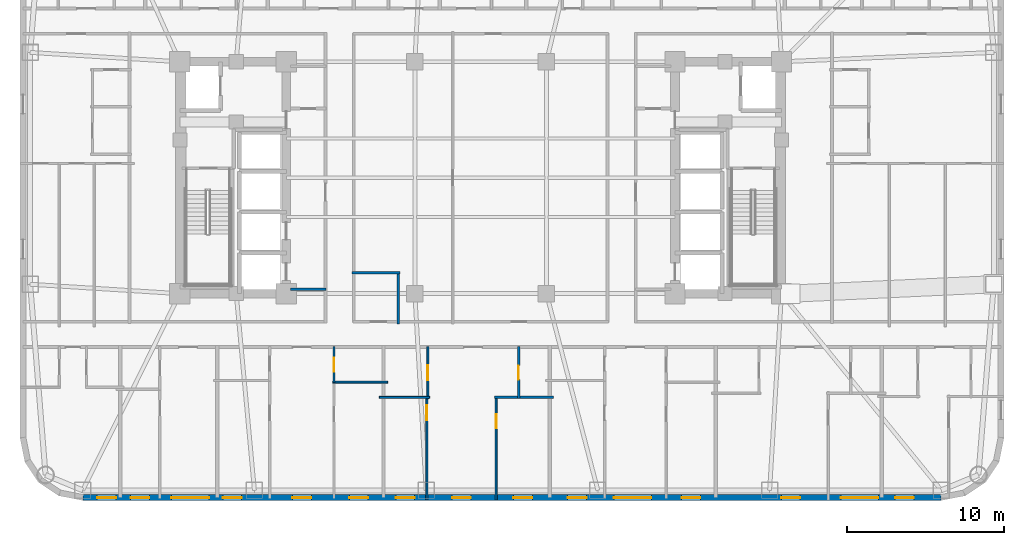
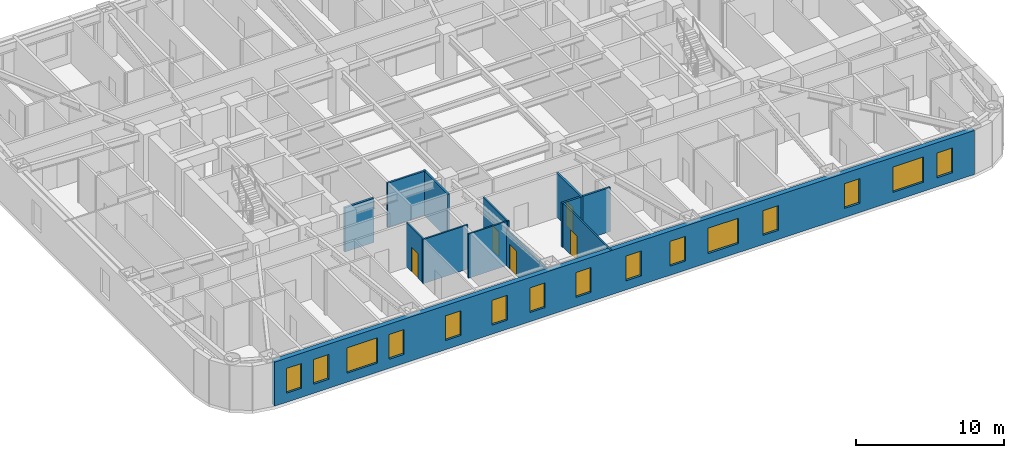
# One storey, part 3 of 12: 15 windows, 12 walls, 5 doors, 20 openings.
"""IFC4 building model written with IfcOpenShell, lengths in metres."""

from ifc_helpers import new_model, si_unit, direction, frame, frame_2d, origin, place, context, subcontext, project, spatial, rectangle, extrude, material, layer, layer_set, type_object, element, fill, save


model = new_model("IFC4")

# Units and contexts
model_context = context("Model", 3, precision=1e-05, world=origin(), true_north=direction((0.0, 1.0)))
body_context = subcontext(model_context, "Body", "Model", "MODEL_VIEW")
ifc_project = project(units=[si_unit("LENGTHUNIT", "METRE"), si_unit("AREAUNIT", "SQUARE_METRE"), si_unit("VOLUMEUNIT", "CUBIC_METRE"), si_unit("PLANEANGLEUNIT", "RADIAN"), si_unit("MASSUNIT", "GRAM", prefix="KILO")], contexts=[model_context])

# Site, building, storey
site_placement = place(None, origin())
site = spatial("IfcSite", under=ifc_project, at=site_placement, CompositionType="ELEMENT")
building_placement = place(site_placement, origin())
building = spatial("IfcBuilding", under=site, at=building_placement, Name="Voryun Gate Residences", CompositionType="ELEMENT")
storey_placement = place(building_placement, frame((0.0, 0.0, 132.60009765625)))
storey = spatial("IfcBuildingStorey", under=building, at=storey_placement, Name="L32", CompositionType="ELEMENT", Elevation=132.60009765625)

# Wall
ifc_material_1 = material(Name="Gypsum acoustic fireboard")
ifc_layer_1 = layer(ifc_material_1, 0.179931640625, Name="W_CORR_RATED_180")
ifc_layer_set_1 = layer_set([ifc_layer_1], Name="Gypsum acoustic fireboard")
wall_type_1 = type_object("IfcWallType", Name="W_CORR_RATED_180", PredefinedType="PARTITIONING", material=ifc_layer_set_1)
wall_1_placement = place(storey_placement, frame((-12.14990234375, -7.1201171875, 0.0), z_axis=(0.0, 0.0, 1.0), x_axis=(1.0, 0.0, 0.0)))
element("IfcWall", 1, at=wall_1_placement, inside=storey, type_object=wall_type_1, Name="Partition wall WP-L32-PLBS-W", PredefinedType="PARTITIONING", context=body_context, shape_type="SweptSolid", body=[
    extrude(rectangle(XDim=2.27001953125, YDim=0.179931640625, at=frame_2d((1.135009765625, 0.0))), origin(), (0.0, 0.0, 1.0), 3.64990234375),
])

# Wall, openings, windows
ifc_material_2 = material(Name="Granite masonry", Category="masonry")
ifc_layer_2 = layer(ifc_material_2, 0.3798828125, Name="W_EXT_GRANITE_380")
ifc_layer_set_2 = layer_set([ifc_layer_2], Name="Granite masonry")
wall_type_2 = type_object("IfcWallType", Name="W_EXT_GRANITE_380", PredefinedType="ELEMENTEDWALL", material=ifc_layer_set_2)
wall_2_placement = place(storey_placement, frame((29.38134765625, -20.409912109375, 0.0), z_axis=(0.0, 0.0, 1.0), x_axis=(-1.0, 0.0, 0.0)))
wall_2 = element("IfcWall", 2, at=wall_2_placement, inside=storey, type_object=wall_type_2, Name="Exterior wall WEXT-L32-01", PredefinedType="ELEMENTEDWALL", context=body_context, shape_type="SweptSolid", body=[
    extrude(rectangle(XDim=54.7626953125, YDim=0.3798828125, at=frame_2d((27.38134765625, 0.0))), origin(), (0.0, 0.0, 1.0), 3.64990234375),
])
opening_1_placement = place(wall_2_placement, frame((3.995361328125, 0.0, 0.75)))
opening_1 = element("IfcOpeningElement", 3, at=opening_1_placement, cuts=wall_2, Name="Opening WN2", PredefinedType="OPENING", context=body_context, shape_type="SweptSolid", body=[
    extrude(rectangle(XDim=2.39990234375, YDim=2.10009765625, at=frame_2d((1.199951171875, 1.050048828125))), frame((0.0, 0.199951171875, 0.0), z_axis=(0.0, -1.0, 0.0), x_axis=(1.0, 0.0, 0.0)), (0.0, 0.0, 1.0), 0.39990234375),
])
opening_2_placement = place(wall_2_placement, frame((18.486083984375, 0.0, 0.75)))
opening_2 = element("IfcOpeningElement", 4, at=opening_2_placement, cuts=wall_2, Name="Opening WN2", PredefinedType="OPENING", context=body_context, shape_type="SweptSolid", body=[
    extrude(rectangle(XDim=2.39990234375, YDim=2.10009765625, at=frame_2d((1.199951171875, 1.050048828125))), frame((0.0, 0.199951171875, 0.0), z_axis=(0.0, -1.0, 0.0), x_axis=(1.0, 0.0, 0.0)), (0.0, 0.0, 1.0), 0.39990234375),
])
opening_3_placement = place(wall_2_placement, frame((46.71728515625, 0.0, 0.75)))
opening_3 = element("IfcOpeningElement", 5, at=opening_3_placement, cuts=wall_2, Name="Opening WN2", PredefinedType="OPENING", context=body_context, shape_type="SweptSolid", body=[
    extrude(rectangle(XDim=2.39990234375, YDim=2.10009765625, at=frame_2d((1.199951171875, 1.050048828125))), frame((0.0, 0.199951171875, 0.0), z_axis=(0.0, -1.0, 0.0), x_axis=(1.0, 0.0, 0.0)), (0.0, 0.0, 1.0), 0.39990234375),
])
opening_4_placement = place(wall_2_placement, frame((52.6513671875, 0.0, 0.75)))
opening_4 = element("IfcOpeningElement", 6, at=opening_4_placement, cuts=wall_2, Name="Opening WN6", PredefinedType="OPENING", context=body_context, shape_type="SweptSolid", body=[
    extrude(rectangle(XDim=1.199951171875, YDim=2.050048828125, at=frame_2d((0.60009765625, 1.02490234375))), frame((0.0, 0.199951171875, 0.0), z_axis=(0.0, -1.0, 0.0), x_axis=(1.0, 0.0, 0.0)), (0.0, 0.0, 1.0), 0.39990234375),
])
opening_5_placement = place(wall_2_placement, frame((50.521240234375, 0.0, 0.75)))
opening_5 = element("IfcOpeningElement", 7, at=opening_5_placement, cuts=wall_2, Name="Opening WN6", PredefinedType="OPENING", context=body_context, shape_type="SweptSolid", body=[
    extrude(rectangle(XDim=1.199951171875, YDim=2.050048828125, at=frame_2d((0.60009765625, 1.02490234375))), frame((0.0, 0.199951171875, 0.0), z_axis=(0.0, -1.0, 0.0), x_axis=(1.0, 0.0, 0.0)), (0.0, 0.0, 1.0), 0.39990234375),
])
opening_6_placement = place(wall_2_placement, frame((40.19140625, 0.0, 0.75)))
opening_6 = element("IfcOpeningElement", 8, at=opening_6_placement, cuts=wall_2, Name="Opening WN6", PredefinedType="OPENING", context=body_context, shape_type="SweptSolid", body=[
    extrude(rectangle(XDim=1.199951171875, YDim=2.050048828125, at=frame_2d((0.60009765625, 1.02490234375))), frame((0.0, 0.199951171875, 0.0), z_axis=(0.0, -1.0, 0.0), x_axis=(1.0, 0.0, 0.0)), (0.0, 0.0, 1.0), 0.39990234375),
])
opening_7_placement = place(wall_2_placement, frame((44.63134765625, 0.0, 0.75)))
opening_7 = element("IfcOpeningElement", 9, at=opening_7_placement, cuts=wall_2, Name="Opening WN6", PredefinedType="OPENING", context=body_context, shape_type="SweptSolid", body=[
    extrude(rectangle(XDim=1.199951171875, YDim=2.050048828125, at=frame_2d((0.60009765625, 1.02490234375))), frame((0.0, 0.199951171875, 0.0), z_axis=(0.0, -1.0, 0.0), x_axis=(1.0, 0.0, 0.0)), (0.0, 0.0, 1.0), 0.39990234375),
])
opening_8_placement = place(wall_2_placement, frame((36.561279296875, 0.0, 0.75)))
opening_8 = element("IfcOpeningElement", 10, at=opening_8_placement, cuts=wall_2, Name="Opening WN6", PredefinedType="OPENING", context=body_context, shape_type="SweptSolid", body=[
    extrude(rectangle(XDim=1.199951171875, YDim=2.050048828125, at=frame_2d((0.60009765625, 1.02490234375))), frame((0.0, 0.199951171875, 0.0), z_axis=(0.0, -1.0, 0.0), x_axis=(1.0, 0.0, 0.0)), (0.0, 0.0, 1.0), 0.39990234375),
])
opening_9_placement = place(wall_2_placement, frame((30.00439453125, 0.0, 0.75)))
opening_9 = element("IfcOpeningElement", 11, at=opening_9_placement, cuts=wall_2, Name="Opening WN6", PredefinedType="OPENING", context=body_context, shape_type="SweptSolid", body=[
    extrude(rectangle(XDim=1.199951171875, YDim=2.050048828125, at=frame_2d((0.60009765625, 1.02490234375))), frame((0.0, 0.199951171875, 0.0), z_axis=(0.0, -1.0, 0.0), x_axis=(1.0, 0.0, 0.0)), (0.0, 0.0, 1.0), 0.39990234375),
])
opening_10_placement = place(wall_2_placement, frame((33.599365234375, 0.0, 0.75)))
opening_10 = element("IfcOpeningElement", 12, at=opening_10_placement, cuts=wall_2, Name="Opening WN6", PredefinedType="OPENING", context=body_context, shape_type="SweptSolid", body=[
    extrude(rectangle(XDim=1.199951171875, YDim=2.050048828125, at=frame_2d((0.60009765625, 1.02490234375))), frame((0.0, 0.199951171875, 0.0), z_axis=(0.0, -1.0, 0.0), x_axis=(1.0, 0.0, 0.0)), (0.0, 0.0, 1.0), 0.39990234375),
])
opening_11_placement = place(wall_2_placement, frame((26.086181640625, 0.0, 0.75)))
opening_11 = element("IfcOpeningElement", 13, at=opening_11_placement, cuts=wall_2, Name="Opening WN6", PredefinedType="OPENING", context=body_context, shape_type="SweptSolid", body=[
    extrude(rectangle(XDim=1.199951171875, YDim=2.050048828125, at=frame_2d((0.60009765625, 1.02490234375))), frame((0.0, 0.199951171875, 0.0), z_axis=(0.0, -1.0, 0.0), x_axis=(1.0, 0.0, 0.0)), (0.0, 0.0, 1.0), 0.39990234375),
])
opening_12_placement = place(wall_2_placement, frame((22.626220703125, 0.0, 0.75)))
opening_12 = element("IfcOpeningElement", 14, at=opening_12_placement, cuts=wall_2, Name="Opening WN6", PredefinedType="OPENING", context=body_context, shape_type="SweptSolid", body=[
    extrude(rectangle(XDim=1.199951171875, YDim=2.050048828125, at=frame_2d((0.60009765625, 1.02490234375))), frame((0.0, 0.199951171875, 0.0), z_axis=(0.0, -1.0, 0.0), x_axis=(1.0, 0.0, 0.0)), (0.0, 0.0, 1.0), 0.39990234375),
])
opening_13_placement = place(wall_2_placement, frame((15.361328125, 0.0, 0.75)))
opening_13 = element("IfcOpeningElement", 15, at=opening_13_placement, cuts=wall_2, Name="Opening WN6", PredefinedType="OPENING", context=body_context, shape_type="SweptSolid", body=[
    extrude(rectangle(XDim=1.199951171875, YDim=2.050048828125, at=frame_2d((0.60009765625, 1.02490234375))), frame((0.0, 0.199951171875, 0.0), z_axis=(0.0, -1.0, 0.0), x_axis=(1.0, 0.0, 0.0)), (0.0, 0.0, 1.0), 0.39990234375),
])
opening_14_placement = place(wall_2_placement, frame((8.986328125, 0.0, 0.75)))
opening_14 = element("IfcOpeningElement", 16, at=opening_14_placement, cuts=wall_2, Name="Opening WN6", PredefinedType="OPENING", context=body_context, shape_type="SweptSolid", body=[
    extrude(rectangle(XDim=1.199951171875, YDim=2.050048828125, at=frame_2d((0.60009765625, 1.02490234375))), frame((0.0, 0.199951171875, 0.0), z_axis=(0.0, -1.0, 0.0), x_axis=(1.0, 0.0, 0.0)), (0.0, 0.0, 1.0), 0.39990234375),
])
opening_15_placement = place(wall_2_placement, frame((1.735595703125, 0.0, 0.75)))
opening_15 = element("IfcOpeningElement", 17, at=opening_15_placement, cuts=wall_2, Name="Opening WN6", PredefinedType="OPENING", context=body_context, shape_type="SweptSolid", body=[
    extrude(rectangle(XDim=1.199951171875, YDim=2.050048828125, at=frame_2d((0.60009765625, 1.02490234375))), frame((0.0, 0.199951171875, 0.0), z_axis=(0.0, -1.0, 0.0), x_axis=(1.0, 0.0, 0.0)), (0.0, 0.0, 1.0), 0.39990234375),
])
ifc_material_3 = material(Name="Laminated low-E glass", Category="glass")
window_type_1 = type_object("IfcWindowType", Name="WN_POD_SLOT_1200", PartitioningType="SINGLE_PANEL", PredefinedType="WINDOW", material=ifc_material_3)
window_1_placement = place(opening_4_placement, origin())
window_1 = element("IfcWindow", 18, at=window_1_placement, inside=storey, type_object=window_type_1, Name="Window WN-L32-DWFIX-17", OverallHeight=2.050048828125, OverallWidth=1.199951171875, PartitioningType="SINGLE_PANEL", PredefinedType="WINDOW", context=body_context, shape_type="SweptSolid", body=[
    extrude(rectangle(XDim=1.199951171875, YDim=2.050048828125, at=frame_2d((0.60009765625, 1.02490234375))), frame((0.0, 0.030029296875, 0.0), z_axis=(0.0, -1.0, 0.0), x_axis=(1.0, 0.0, 0.0)), (0.0, 0.0, 1.0), 0.06005859375),
])
fill(opening_4, window_1)
window_2_placement = place(opening_5_placement, origin())
window_2 = element("IfcWindow", 19, at=window_2_placement, inside=storey, type_object=window_type_1, Name="Window WN-L32-DWFIX-18", OverallHeight=2.050048828125, OverallWidth=1.199951171875, PartitioningType="SINGLE_PANEL", PredefinedType="WINDOW", context=body_context, shape_type="SweptSolid", body=[
    extrude(rectangle(XDim=1.199951171875, YDim=2.050048828125, at=frame_2d((0.60009765625, 1.02490234375))), frame((0.0, 0.030029296875, 0.0), z_axis=(0.0, -1.0, 0.0), x_axis=(1.0, 0.0, 0.0)), (0.0, 0.0, 1.0), 0.06005859375),
])
fill(opening_5, window_2)
window_3_placement = place(opening_6_placement, origin())
window_3 = element("IfcWindow", 20, at=window_3_placement, inside=storey, type_object=window_type_1, Name="Window WN-L32-DWFIX-19", OverallHeight=2.050048828125, OverallWidth=1.199951171875, PartitioningType="SINGLE_PANEL", PredefinedType="WINDOW", context=body_context, shape_type="SweptSolid", body=[
    extrude(rectangle(XDim=1.199951171875, YDim=2.050048828125, at=frame_2d((0.60009765625, 1.02490234375))), frame((0.0, 0.030029296875, 0.0), z_axis=(0.0, -1.0, 0.0), x_axis=(1.0, 0.0, 0.0)), (0.0, 0.0, 1.0), 0.06005859375),
])
fill(opening_6, window_3)
window_4_placement = place(opening_7_placement, origin())
window_4 = element("IfcWindow", 21, at=window_4_placement, inside=storey, type_object=window_type_1, Name="Window WN-L32-DWFIX-20", OverallHeight=2.050048828125, OverallWidth=1.199951171875, PartitioningType="SINGLE_PANEL", PredefinedType="WINDOW", context=body_context, shape_type="SweptSolid", body=[
    extrude(rectangle(XDim=1.199951171875, YDim=2.050048828125, at=frame_2d((0.60009765625, 1.02490234375))), frame((0.0, 0.030029296875, 0.0), z_axis=(0.0, -1.0, 0.0), x_axis=(1.0, 0.0, 0.0)), (0.0, 0.0, 1.0), 0.06005859375),
])
fill(opening_7, window_4)
window_5_placement = place(opening_8_placement, origin())
window_5 = element("IfcWindow", 22, at=window_5_placement, inside=storey, type_object=window_type_1, Name="Window WN-L32-DWFIX-21", OverallHeight=2.050048828125, OverallWidth=1.199951171875, PartitioningType="SINGLE_PANEL", PredefinedType="WINDOW", context=body_context, shape_type="SweptSolid", body=[
    extrude(rectangle(XDim=1.199951171875, YDim=2.050048828125, at=frame_2d((0.60009765625, 1.02490234375))), frame((0.0, 0.030029296875, 0.0), z_axis=(0.0, -1.0, 0.0), x_axis=(1.0, 0.0, 0.0)), (0.0, 0.0, 1.0), 0.06005859375),
])
fill(opening_8, window_5)
window_6_placement = place(opening_9_placement, origin())
window_6 = element("IfcWindow", 23, at=window_6_placement, inside=storey, type_object=window_type_1, Name="Window WN-L32-DWFIX-22", OverallHeight=2.050048828125, OverallWidth=1.199951171875, PartitioningType="SINGLE_PANEL", PredefinedType="WINDOW", context=body_context, shape_type="SweptSolid", body=[
    extrude(rectangle(XDim=1.199951171875, YDim=2.050048828125, at=frame_2d((0.60009765625, 1.02490234375))), frame((0.0, 0.030029296875, 0.0), z_axis=(0.0, -1.0, 0.0), x_axis=(1.0, 0.0, 0.0)), (0.0, 0.0, 1.0), 0.06005859375),
])
fill(opening_9, window_6)
window_7_placement = place(opening_10_placement, origin())
window_7 = element("IfcWindow", 24, at=window_7_placement, inside=storey, type_object=window_type_1, Name="Window WN-L32-DWFIX-23", OverallHeight=2.050048828125, OverallWidth=1.199951171875, PartitioningType="SINGLE_PANEL", PredefinedType="WINDOW", context=body_context, shape_type="SweptSolid", body=[
    extrude(rectangle(XDim=1.199951171875, YDim=2.050048828125, at=frame_2d((0.60009765625, 1.02490234375))), frame((0.0, 0.030029296875, 0.0), z_axis=(0.0, -1.0, 0.0), x_axis=(1.0, 0.0, 0.0)), (0.0, 0.0, 1.0), 0.06005859375),
])
fill(opening_10, window_7)
window_8_placement = place(opening_11_placement, origin())
window_8 = element("IfcWindow", 25, at=window_8_placement, inside=storey, type_object=window_type_1, Name="Window WN-L32-DWFIX-24", OverallHeight=2.050048828125, OverallWidth=1.199951171875, PartitioningType="SINGLE_PANEL", PredefinedType="WINDOW", context=body_context, shape_type="SweptSolid", body=[
    extrude(rectangle(XDim=1.199951171875, YDim=2.050048828125, at=frame_2d((0.60009765625, 1.02490234375))), frame((0.0, 0.030029296875, 0.0), z_axis=(0.0, -1.0, 0.0), x_axis=(1.0, 0.0, 0.0)), (0.0, 0.0, 1.0), 0.06005859375),
])
fill(opening_11, window_8)
window_9_placement = place(opening_12_placement, origin())
window_9 = element("IfcWindow", 26, at=window_9_placement, inside=storey, type_object=window_type_1, Name="Window WN-L32-DWFIX-25", OverallHeight=2.050048828125, OverallWidth=1.199951171875, PartitioningType="SINGLE_PANEL", PredefinedType="WINDOW", context=body_context, shape_type="SweptSolid", body=[
    extrude(rectangle(XDim=1.199951171875, YDim=2.050048828125, at=frame_2d((0.60009765625, 1.02490234375))), frame((0.0, 0.030029296875, 0.0), z_axis=(0.0, -1.0, 0.0), x_axis=(1.0, 0.0, 0.0)), (0.0, 0.0, 1.0), 0.06005859375),
])
fill(opening_12, window_9)
window_10_placement = place(opening_13_placement, origin())
window_10 = element("IfcWindow", 27, at=window_10_placement, inside=storey, type_object=window_type_1, Name="Window WN-L32-DWFIX-26", OverallHeight=2.050048828125, OverallWidth=1.199951171875, PartitioningType="SINGLE_PANEL", PredefinedType="WINDOW", context=body_context, shape_type="SweptSolid", body=[
    extrude(rectangle(XDim=1.199951171875, YDim=2.050048828125, at=frame_2d((0.60009765625, 1.02490234375))), frame((0.0, 0.030029296875, 0.0), z_axis=(0.0, -1.0, 0.0), x_axis=(1.0, 0.0, 0.0)), (0.0, 0.0, 1.0), 0.06005859375),
])
fill(opening_13, window_10)
window_11_placement = place(opening_14_placement, origin())
window_11 = element("IfcWindow", 28, at=window_11_placement, inside=storey, type_object=window_type_1, Name="Window WN-L32-DWFIX-27", OverallHeight=2.050048828125, OverallWidth=1.199951171875, PartitioningType="SINGLE_PANEL", PredefinedType="WINDOW", context=body_context, shape_type="SweptSolid", body=[
    extrude(rectangle(XDim=1.199951171875, YDim=2.050048828125, at=frame_2d((0.60009765625, 1.02490234375))), frame((0.0, 0.030029296875, 0.0), z_axis=(0.0, -1.0, 0.0), x_axis=(1.0, 0.0, 0.0)), (0.0, 0.0, 1.0), 0.06005859375),
])
fill(opening_14, window_11)
window_12_placement = place(opening_15_placement, origin())
window_12 = element("IfcWindow", 29, at=window_12_placement, inside=storey, type_object=window_type_1, Name="Window WN-L32-DWFIX-28", OverallHeight=2.050048828125, OverallWidth=1.199951171875, PartitioningType="SINGLE_PANEL", PredefinedType="WINDOW", context=body_context, shape_type="SweptSolid", body=[
    extrude(rectangle(XDim=1.199951171875, YDim=2.050048828125, at=frame_2d((0.60009765625, 1.02490234375))), frame((0.0, 0.030029296875, 0.0), z_axis=(0.0, -1.0, 0.0), x_axis=(1.0, 0.0, 0.0)), (0.0, 0.0, 1.0), 0.06005859375),
])
fill(opening_15, window_12)
ifc_material_4 = material(Name="Laminated low-E glass", Category="glass")
window_type_2 = type_object("IfcWindowType", Name="WN_RES_WIDE_2400", PartitioningType="SINGLE_PANEL", PredefinedType="WINDOW", material=ifc_material_4)
window_13_placement = place(opening_1_placement, origin())
window_13 = element("IfcWindow", 30, at=window_13_placement, inside=storey, type_object=window_type_2, Name="Window WN-WEXT-L32-01-01", OverallHeight=2.10009765625, OverallWidth=2.39990234375, PartitioningType="SINGLE_PANEL", PredefinedType="WINDOW", context=body_context, shape_type="SweptSolid", body=[
    extrude(rectangle(XDim=2.39990234375, YDim=2.10009765625, at=frame_2d((1.199951171875, 1.050048828125))), frame((0.0, 0.030029296875, 0.0), z_axis=(0.0, -1.0, 0.0), x_axis=(1.0, 0.0, 0.0)), (0.0, 0.0, 1.0), 0.06005859375),
])
fill(opening_1, window_13)
window_14_placement = place(opening_2_placement, origin())
window_14 = element("IfcWindow", 31, at=window_14_placement, inside=storey, type_object=window_type_2, Name="Window WN-WEXT-L32-01-02", OverallHeight=2.10009765625, OverallWidth=2.39990234375, PartitioningType="SINGLE_PANEL", PredefinedType="WINDOW", context=body_context, shape_type="SweptSolid", body=[
    extrude(rectangle(XDim=2.39990234375, YDim=2.10009765625, at=frame_2d((1.199951171875, 1.050048828125))), frame((0.0, 0.030029296875, 0.0), z_axis=(0.0, -1.0, 0.0), x_axis=(1.0, 0.0, 0.0)), (0.0, 0.0, 1.0), 0.06005859375),
])
fill(opening_2, window_14)
window_15_placement = place(opening_3_placement, origin())
window_15 = element("IfcWindow", 32, at=window_15_placement, inside=storey, type_object=window_type_2, Name="Window WN-WEXT-L32-01-04", OverallHeight=2.10009765625, OverallWidth=2.39990234375, PartitioningType="SINGLE_PANEL", PredefinedType="WINDOW", context=body_context, shape_type="SweptSolid", body=[
    extrude(rectangle(XDim=2.39990234375, YDim=2.10009765625, at=frame_2d((1.199951171875, 1.050048828125))), frame((0.0, 0.030029296875, 0.0), z_axis=(0.0, -1.0, 0.0), x_axis=(1.0, 0.0, 0.0)), (0.0, 0.0, 1.0), 0.06005859375),
])
fill(opening_3, window_15)

# Wall
ifc_material_5 = material(Name="Gypsum acoustic partition")
ifc_layer_3 = layer(ifc_material_5, 0.125, Name="W_UNIT_PART_125")
ifc_layer_set_3 = layer_set([ifc_layer_3], Name="Gypsum acoustic partition")
wall_type_3 = type_object("IfcWallType", Name="W_UNIT_PART_125", PredefinedType="PARTITIONING", material=ifc_layer_set_3)
wall_3_placement = place(storey_placement, frame((-9.43994140625, -13.0400390625, 0.0), z_axis=(0.0, 0.0, 1.0), x_axis=(1.0, 0.0, 0.0)))
element("IfcWall", 33, at=wall_3_placement, inside=storey, type_object=wall_type_3, Name="Partition wall WP-L32-S3-RHY", PredefinedType="PARTITIONING", context=body_context, shape_type="SweptSolid", body=[
    extrude(rectangle(XDim=3.5, YDim=0.125, at=frame_2d((1.75, 0.0))), origin(), (0.0, 0.0, 1.0), 3.64990234375),
])

# Wall, opening, door
wall_4_placement = place(storey_placement, frame((-9.360107421875, -13.080078125, 0.0), z_axis=(0.0, 0.0, 1.0), x_axis=(0.0, 1.0, 0.0)))
wall_4 = element("IfcWall", 34, at=wall_4_placement, inside=storey, type_object=wall_type_3, Name="Partition wall WP-L32-S3-RVX2", PredefinedType="PARTITIONING", context=body_context, shape_type="SweptSolid", body=[
    extrude(rectangle(XDim=2.300048828125, YDim=0.125, at=frame_2d((1.14990234375, 0.0))), origin(), (0.0, 0.0, 1.0), 3.64990234375),
])
opening_16_placement = place(wall_4_placement, frame((0.699951171875, 0.0, 0.0)))
opening_16 = element("IfcOpeningElement", 35, at=opening_16_placement, cuts=wall_4, Name="Opening D-INT-2", PredefinedType="OPENING", context=body_context, shape_type="SweptSolid", body=[
    extrude(rectangle(XDim=0.89990234375, YDim=2.050048828125, at=frame_2d((0.449951171875, 1.02490234375))), frame((0.0, 0.072509765625, 0.0), z_axis=(0.0, -1.0, 0.0), x_axis=(1.0, 0.0, 0.0)), (0.0, 0.0, 1.0), 0.14501953125),
])
ifc_material_6 = material(Name="Architectural oak veneer")
door_type_1 = type_object("IfcDoorType", Name="DR_INT_BATH_900", OperationType="NOTDEFINED", PredefinedType="DOOR", material=ifc_material_6)
door_1_placement = place(opening_16_placement, origin())
door_1 = element("IfcDoor", 36, at=door_1_placement, inside=storey, type_object=door_type_1, Name="Door DR-L32-S3-DK", OperationType="SINGLE_SWING_LEFT", OverallHeight=2.050048828125, OverallWidth=0.89990234375, PredefinedType="DOOR", context=body_context, shape_type="SweptSolid", body=[
    extrude(rectangle(XDim=0.89990234375, YDim=2.050048828125, at=frame_2d((0.449951171875, 1.02490234375))), frame((0.0, 0.02490234375, 0.0), z_axis=(0.0, -1.0, 0.0), x_axis=(1.0, 0.0, 0.0)), (0.0, 0.0, 1.0), 0.050048828125),
])
fill(opening_16, door_1)

wall_5_placement = place(storey_placement, frame((-3.43603515625, -20.56005859375, 0.0), z_axis=(0.0, 0.0, 1.0), x_axis=(0.0, 1.0, 0.0)))
wall_5 = element("IfcWall", 37, at=wall_5_placement, inside=storey, type_object=wall_type_3, Name="Partition wall WP-L32-S4-OVL", PredefinedType="PARTITIONING", context=body_context, shape_type="SweptSolid", body=[
    extrude(rectangle(XDim=6.6201171875, YDim=0.125, at=frame_2d((3.31005859375, 0.0))), origin(), (0.0, 0.0, 1.0), 3.039794921875),
])
opening_17_placement = place(wall_5_placement, frame((5.085693359375, 0.0, 0.0)))
opening_17 = element("IfcOpeningElement", 38, at=opening_17_placement, cuts=wall_5, Name="Opening D-INT-1", PredefinedType="OPENING", context=body_context, shape_type="SweptSolid", body=[
    extrude(rectangle(XDim=0.949951171875, YDim=2.050048828125, at=frame_2d((0.47509765625, 1.02490234375))), frame((0.0, 0.072509765625, 0.0), z_axis=(0.0, -1.0, 0.0), x_axis=(1.0, 0.0, 0.0)), (0.0, 0.0, 1.0), 0.14501953125),
])
ifc_material_7 = material(Name="Architectural oak veneer")
door_type_2 = type_object("IfcDoorType", Name="DR_INT_ROOM_950", OperationType="NOTDEFINED", PredefinedType="DOOR", material=ifc_material_7)
door_2_placement = place(opening_17_placement, origin())
door_2 = element("IfcDoor", 39, at=door_2_placement, inside=storey, type_object=door_type_2, Name="Door DR-L32-S4-DB2", OperationType="SINGLE_SWING_LEFT", OverallHeight=2.050048828125, OverallWidth=0.949951171875, PredefinedType="DOOR", context=body_context, shape_type="SweptSolid", body=[
    extrude(rectangle(XDim=0.949951171875, YDim=2.050048828125, at=frame_2d((0.47509765625, 1.02490234375))), frame((0.0, 0.02490234375, 0.0), z_axis=(0.0, -1.0, 0.0), x_axis=(1.0, 0.0, 0.0)), (0.0, 0.0, 1.0), 0.050048828125),
])
fill(opening_17, door_2)

wall_6_placement = place(storey_placement, frame((0.989990234375, -20.56005859375, 0.0), z_axis=(0.0, 0.0, 1.0), x_axis=(0.0, 1.0, 0.0)))
wall_6 = element("IfcWall", 40, at=wall_6_placement, inside=storey, type_object=wall_type_3, Name="Partition wall WP-L32-S4-OVR", PredefinedType="PARTITIONING", context=body_context, shape_type="SweptSolid", body=[
    extrude(rectangle(XDim=6.6201171875, YDim=0.125, at=frame_2d((3.31005859375, 0.0))), origin(), (0.0, 0.0, 1.0), 3.64990234375),
])
opening_18_placement = place(wall_6_placement, frame((4.581298828125, 0.0, 0.0)))
opening_18 = element("IfcOpeningElement", 41, at=opening_18_placement, cuts=wall_6, Name="Opening D-INT-2", PredefinedType="OPENING", context=body_context, shape_type="SweptSolid", body=[
    extrude(rectangle(XDim=0.89990234375, YDim=2.050048828125, at=frame_2d((0.449951171875, 1.02490234375))), frame((0.0, 0.072509765625, 0.0), z_axis=(0.0, -1.0, 0.0), x_axis=(1.0, 0.0, 0.0)), (0.0, 0.0, 1.0), 0.14501953125),
])
door_3_placement = place(opening_18_placement, origin())
door_3 = element("IfcDoor", 42, at=door_3_placement, inside=storey, type_object=door_type_1, Name="Door DR-L32-S4-DMB", OperationType="SINGLE_SWING_RIGHT", OverallHeight=2.050048828125, OverallWidth=0.89990234375, PredefinedType="DOOR", context=body_context, shape_type="SweptSolid", body=[
    extrude(rectangle(XDim=0.89990234375, YDim=2.050048828125, at=frame_2d((0.449951171875, 1.02490234375))), frame((0.0, 0.02490234375, 0.0), z_axis=(0.0, -1.0, 0.0), x_axis=(1.0, 0.0, 0.0)), (0.0, 0.0, 1.0), 0.050048828125),
])
fill(opening_18, door_3)

wall_7_placement = place(storey_placement, frame((-3.373046875, -14.10009765625, 0.0), z_axis=(0.0, 0.0, 1.0), x_axis=(0.0, 1.0, 0.0)))
wall_7 = element("IfcWall", 43, at=wall_7_placement, inside=storey, type_object=wall_type_3, Name="Partition wall WP-L32-S4-IVK", PredefinedType="PARTITIONING", context=body_context, shape_type="SweptSolid", body=[
    extrude(rectangle(XDim=3.320068359375, YDim=0.125, at=frame_2d((1.66015625, 0.0))), origin(), (0.0, 0.0, 1.0), 3.64990234375),
])
opening_19_placement = place(wall_7_placement, frame((1.18505859375, 0.0, 0.0)))
opening_19 = element("IfcOpeningElement", 44, at=opening_19_placement, cuts=wall_7, Name="Opening D-INT-1", PredefinedType="OPENING", context=body_context, shape_type="SweptSolid", body=[
    extrude(rectangle(XDim=0.949951171875, YDim=2.050048828125, at=frame_2d((0.47509765625, 1.02490234375))), frame((0.0, 0.072509765625, 0.0), z_axis=(0.0, -1.0, 0.0), x_axis=(1.0, 0.0, 0.0)), (0.0, 0.0, 1.0), 0.14501953125),
])
door_4_placement = place(opening_19_placement, origin())
door_4 = element("IfcDoor", 45, at=door_4_placement, inside=storey, type_object=door_type_2, Name="Door DR-L32-S4-DK", OperationType="SINGLE_SWING_LEFT", OverallHeight=2.050048828125, OverallWidth=0.949951171875, PredefinedType="DOOR", context=body_context, shape_type="SweptSolid", body=[
    extrude(rectangle(XDim=0.949951171875, YDim=2.050048828125, at=frame_2d((0.47509765625, 1.02490234375))), frame((0.0, 0.02490234375, 0.0), z_axis=(0.0, -1.0, 0.0), x_axis=(1.0, 0.0, 0.0)), (0.0, 0.0, 1.0), 0.050048828125),
])
fill(opening_19, door_4)

# Walls
wall_8_placement = place(storey_placement, frame((-6.4599609375, -14.02001953125, 0.0), z_axis=(0.0, 0.0, 1.0), x_axis=(1.0, 0.0, 0.0)))
element("IfcWall", 46, at=wall_8_placement, inside=storey, type_object=wall_type_3, Name="Partition wall WP-L32-S4-HZK", PredefinedType="PARTITIONING", context=body_context, shape_type="SweptSolid", body=[
    extrude(rectangle(XDim=3.20703125, YDim=0.125, at=frame_2d((1.603515625, 0.0))), origin(), (0.0, 0.0, 1.0), 3.64990234375),
])
ifc_material_8 = material(Name="Gypsum moisture-resistant partition")
ifc_layer_4 = layer(ifc_material_8, 0.14990234375, Name="W_WET_PLUMB_150")
ifc_layer_set_4 = layer_set([ifc_layer_4], Name="Gypsum moisture-resistant partition")
wall_type_4 = type_object("IfcWallType", Name="W_WET_PLUMB_150", PredefinedType="PLUMBINGWALL", material=ifc_layer_set_4)
wall_9_placement = place(storey_placement, frame((-5.260009765625, -9.320068359375, 0.0), z_axis=(0.0, 0.0, 1.0), x_axis=(0.0, 1.0, 0.0)))
element("IfcWall", 47, at=wall_9_placement, inside=storey, type_object=wall_type_4, Name="Partition wall WP-L32-CMWCX", PredefinedType="PLUMBINGWALL", context=body_context, shape_type="SweptSolid", body=[
    extrude(rectangle(XDim=3.35009765625, YDim=0.14990234375, at=frame_2d((1.675048828125, 0.0))), origin(), (0.0, 0.0, 1.0), 3.64990234375),
])
wall_10_placement = place(storey_placement, frame((-8.2099609375, -6.070068359375, 0.0), z_axis=(0.0, 0.0, 1.0), x_axis=(1.0, 0.0, 0.0)))
element("IfcWall", 48, at=wall_10_placement, inside=storey, type_object=wall_type_4, Name="Partition wall WP-L32-CMWCY", PredefinedType="PLUMBINGWALL", context=body_context, shape_type="SweptSolid", body=[
    extrude(rectangle(XDim=3.050048828125, YDim=0.14990234375, at=frame_2d((1.52490234375, 0.0))), origin(), (0.0, 0.0, 1.0), 3.64990234375),
])
wall_11_placement = place(storey_placement, frame((0.8701171875, -14.02001953125, 0.0), z_axis=(0.0, 0.0, 1.0), x_axis=(1.0, 0.0, 0.0)))
element("IfcWall", 49, at=wall_11_placement, inside=storey, type_object=wall_type_4, Name="Partition wall WP-L32-S4-HZB", PredefinedType="PLUMBINGWALL", context=body_context, shape_type="SweptSolid", body=[
    extrude(rectangle(XDim=3.789794921875, YDim=0.14990234375, at=frame_2d((1.89501953125, 0.0))), origin(), (0.0, 0.0, 1.0), 3.64990234375),
])

# Wall, opening, door
wall_12_placement = place(storey_placement, frame((2.419921875, -14.10009765625, 0.0), z_axis=(0.0, 0.0, 1.0), x_axis=(0.0, 1.0, 0.0)))
wall_12 = element("IfcWall", 50, at=wall_12_placement, inside=storey, type_object=wall_type_4, Name="Partition wall WP-L32-S4-IVB", PredefinedType="PLUMBINGWALL", context=body_context, shape_type="SweptSolid", body=[
    extrude(rectangle(XDim=3.320068359375, YDim=0.14990234375, at=frame_2d((1.66015625, 0.0))), origin(), (0.0, 0.0, 1.0), 3.64990234375),
])
opening_20_placement = place(wall_12_placement, frame((1.2099609375, 0.0, 0.0)))
opening_20 = element("IfcOpeningElement", 51, at=opening_20_placement, cuts=wall_12, Name="Opening D-INT-2", PredefinedType="OPENING", context=body_context, shape_type="SweptSolid", body=[
    extrude(rectangle(XDim=0.89990234375, YDim=2.050048828125, at=frame_2d((0.449951171875, 1.02490234375))), frame((0.0, 0.0849609375, 0.0), z_axis=(0.0, -1.0, 0.0), x_axis=(1.0, 0.0, 0.0)), (0.0, 0.0, 1.0), 0.169921875),
])
door_5_placement = place(opening_20_placement, origin())
door_5 = element("IfcDoor", 52, at=door_5_placement, inside=storey, type_object=door_type_1, Name="Door DR-L32-S4-DB", OperationType="SINGLE_SWING_RIGHT", OverallHeight=2.050048828125, OverallWidth=0.89990234375, PredefinedType="DOOR", context=body_context, shape_type="SweptSolid", body=[
    extrude(rectangle(XDim=0.89990234375, YDim=2.050048828125, at=frame_2d((0.449951171875, 1.02490234375))), frame((0.0, 0.02490234375, 0.0), z_axis=(0.0, -1.0, 0.0), x_axis=(1.0, 0.0, 0.0)), (0.0, 0.0, 1.0), 0.050048828125),
])
fill(opening_20, door_5)

save(model, "model.ifc")
